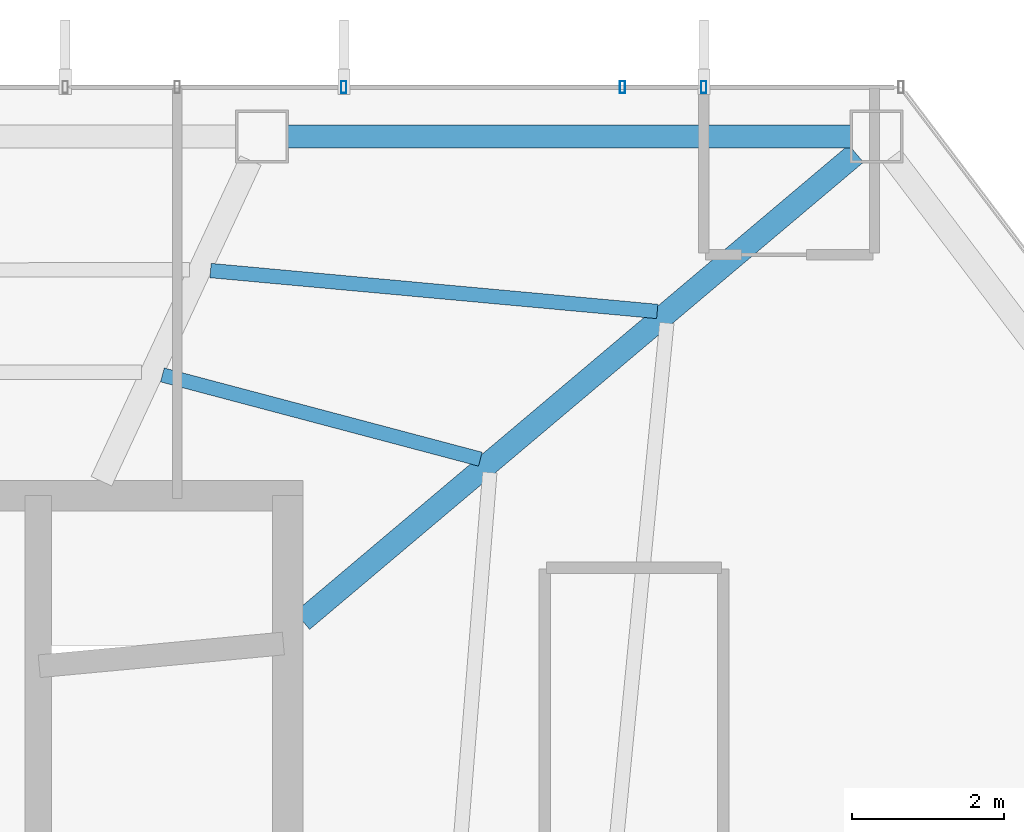
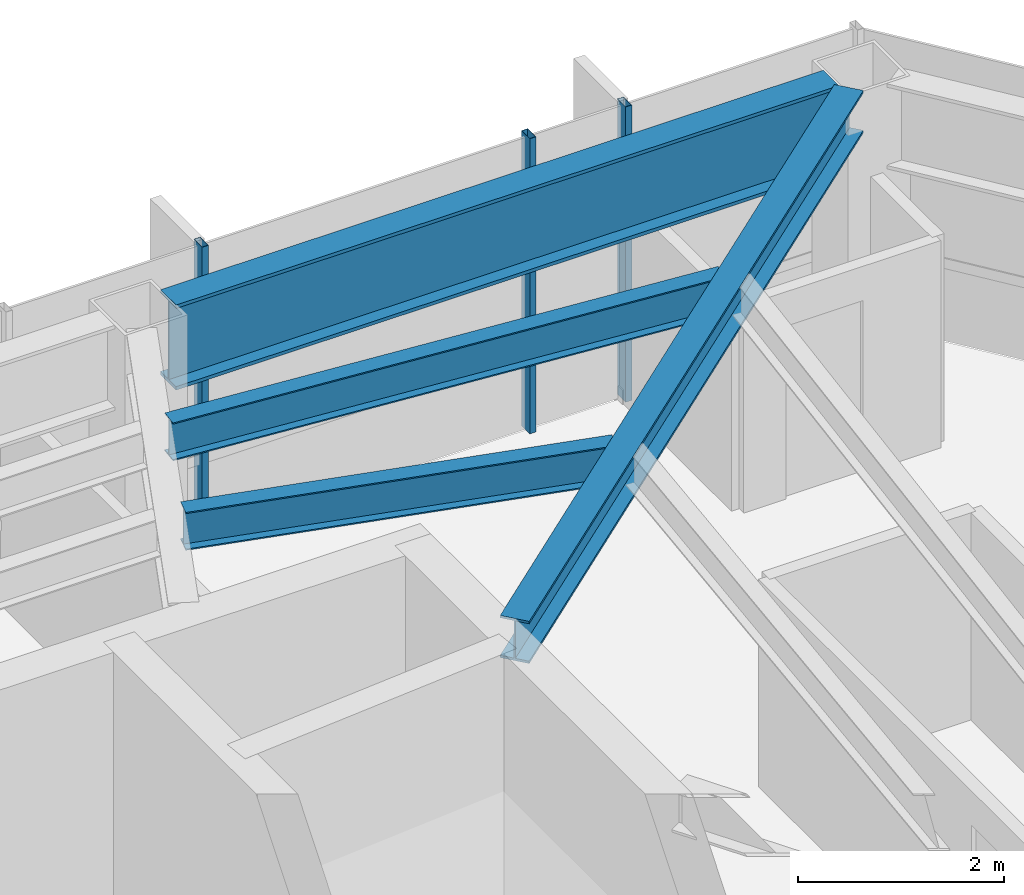
# One storey, part 22 of 28: 4 beams, 3 members, 1 element without a shape of its own.
"""IFC4 building model written with IfcOpenShell, lengths in metres."""

import ifcopenshell
import ifcopenshell.guid

model = None  # the IFC model being written
_history = None  # IfcOwnerHistory: only IFC2X3 demands one
_inside = {}  # id of a spatial element -> (the spatial element, [elements in it])
_under = {}  # id of a project, library or spatial element -> (it, [spatial elements below it])
_declared = {}  # id of a project -> (the project, [libraries it declares])
_typed = {}  # id of a type object -> (the type object, [elements of that type])
_made_of = {}  # id of a material, layer set ... -> (it, [elements and type objects made of it])


def new_model(schema):
    """Start an empty IFC model of exactly this schema.

    Asked for "IFC4X3", IfcOpenShell would pick the latest addendum, in which some entities
    have other attributes; the version numbers below select the first issue.
    IFC2X3 requires an IfcOwnerHistory on every rooted entity: one is made here for all.
    """
    global model, _history
    if schema == "IFC4X3":
        model = ifcopenshell.file(schema_version=(4, 3, 0, 0))
    else:
        model = ifcopenshell.file(schema=schema)
    _inside.clear()
    _under.clear()
    _declared.clear()
    _typed.clear()
    _made_of.clear()
    _history = None
    if model.schema == "IFC2X3":
        org = make("IfcOrganization", Name="unknown")
        user = make(
            "IfcPersonAndOrganization",
            ThePerson=make("IfcPerson", FamilyName="unknown"),
            TheOrganization=org,
        )
        app = make(
            "IfcApplication",
            ApplicationDeveloper=org,
            Version="unknown",
            ApplicationFullName="unknown",
            ApplicationIdentifier="unknown",
        )
        _history = make(
            "IfcOwnerHistory",
            OwningUser=user,
            OwningApplication=app,
            ChangeAction="ADDED",
            CreationDate=0,
        )
    return model


def make(cls, **values):
    """One entity of the class cls with the attributes given. An attribute that is None is left unset."""
    return model.create_entity(
        cls, **{name: value for name, value in values.items() if value is not None}
    )


def rooted(cls, **values):
    """An entity with a GlobalId (a new one), such as an element, a storey or a relation."""
    return make(cls, GlobalId=ifcopenshell.guid.new(), OwnerHistory=_history, **values)


def si_unit(unit_type, name, prefix=None):
    """IfcSIUnit, for example si_unit("LENGTHUNIT", "METRE", prefix="MILLI")."""
    return make("IfcSIUnit", UnitType=unit_type, Prefix=prefix, Name=name)


def assignment(units):
    """IfcUnitAssignment: the units of a project."""
    return None if units is None else make("IfcUnitAssignment", Units=units)


def point(xyz):
    """IfcCartesianPoint."""
    return None if xyz is None else make("IfcCartesianPoint", Coordinates=xyz)


def direction(xyz):
    """IfcDirection."""
    return None if xyz is None else make("IfcDirection", DirectionRatios=xyz)


def frame(location, z_axis=None, x_axis=None):
    """IfcAxis2Placement3D, a coordinate frame: its origin and axes. An axis left out is left unset."""
    return make(
        "IfcAxis2Placement3D",
        Location=point(location),
        Axis=direction(z_axis),
        RefDirection=direction(x_axis),
    )


def frame_2d(location, x_axis=None):
    """IfcAxis2Placement2D, a coordinate frame in the plane: its origin and x axis."""
    return make(
        "IfcAxis2Placement2D", Location=point(location), RefDirection=direction(x_axis)
    )


def origin():
    """The frame at (0, 0, 0) with its axes left unset."""
    return frame((0.0, 0.0, 0.0))


def origin_2d():
    """The frame at (0, 0) in the plane with its x axis left unset."""
    return frame_2d((0.0, 0.0))


def place(relative_to, where):
    """IfcLocalPlacement: puts the frame where relative to a parent placement (None: the world)."""
    return make(
        "IfcLocalPlacement", PlacementRelTo=relative_to, RelativePlacement=where
    )


def context(
    kind, dimensions, precision=None, world=None, true_north=None, identifier=None
):
    """IfcGeometricRepresentationContext, for example the 3D "Model" context."""
    return make(
        "IfcGeometricRepresentationContext",
        ContextIdentifier=identifier,
        ContextType=kind,
        CoordinateSpaceDimension=dimensions,
        Precision=precision,
        WorldCoordinateSystem=world,
        TrueNorth=true_north,
    )


def subcontext(parent, identifier, kind, view, scale=None):
    """IfcGeometricRepresentationSubContext, for example "Body" below "Model"."""
    return make(
        "IfcGeometricRepresentationSubContext",
        ContextIdentifier=identifier,
        ContextType=kind,
        ParentContext=parent,
        TargetScale=scale,
        TargetView=view,
    )


def project(units=None, contexts=None):
    """IfcProject with its units and contexts."""
    return rooted(
        "IfcProject",
        Name="project",
        RepresentationContexts=contexts,
        UnitsInContext=assignment(units),
    )


def spatial(cls, under=None, at=None, **own):
    """A site, building, storey or space (cls), placed at a placement, below another one or the project."""
    s = rooted(cls, ObjectPlacement=at, **own)
    if under is not None:
        _under.setdefault(under.id(), (under, []))[1].append(s)
    return s


def profile(cls, at=None, kind="AREA", **sizes):
    """A parametric profile (cls). Its sizes go by their IFC names, for example OverallWidth=200.0."""
    return make(cls, ProfileType=kind, Position=at, **sizes)


def hollow_rectangle(**sizes):
    """IfcRectangleHollowProfileDef."""
    return profile("IfcRectangleHollowProfileDef", **sizes)


def i_section(**sizes):
    """IfcIShapeProfileDef."""
    return profile("IfcIShapeProfileDef", **sizes)


def extrude(swept, where, along, depth):
    """IfcExtrudedAreaSolid: the profile swept, set in the frame where, extruded along a direction by depth."""
    return make(
        "IfcExtrudedAreaSolid",
        SweptArea=swept,
        Position=where,
        ExtrudedDirection=direction(along),
        Depth=depth,
    )


def shape(context_of_items, identifier, shape_type, items):
    """IfcShapeRepresentation: the items that make up one representation, for example the "Body"."""
    return make(
        "IfcShapeRepresentation",
        ContextOfItems=context_of_items,
        RepresentationIdentifier=identifier,
        RepresentationType=shape_type,
        Items=items,
    )


def material(Name=None, Category=None):
    """IfcMaterial."""
    return make("IfcMaterial", Name=Name, Category=Category)


def layer(
    of_material, thickness, ventilated=None, Name=None, Category=None, Priority=None
):
    """IfcMaterialLayer: one layer of a wall or slab, of a material (None: an air gap)."""
    return make(
        "IfcMaterialLayer",
        Material=of_material,
        LayerThickness=thickness,
        IsVentilated=ventilated,
        Name=Name,
        Category=Category,
        Priority=Priority,
    )


def layer_set(layers, Name=None):
    """IfcMaterialLayerSet."""
    return make("IfcMaterialLayerSet", MaterialLayers=layers, LayerSetName=Name)


def material_profile(
    of_material, cross_section, Name=None, Category=None, Priority=None
):
    """IfcMaterialProfile: a cross section and its material."""
    return make(
        "IfcMaterialProfile",
        Name=Name,
        Material=of_material,
        Profile=cross_section,
        Priority=Priority,
        Category=Category,
    )


def profile_set(profiles, Name=None, composite=None):
    """IfcMaterialProfileSet."""
    return make(
        "IfcMaterialProfileSet",
        Name=Name,
        MaterialProfiles=profiles,
        CompositeProfile=composite,
    )


def made_of(thing, what):
    """Note that an element or type object is made of a material, layer set ...; save() writes the relation."""
    if what is not None:
        _made_of.setdefault(what.id(), (what, []))[1].append(thing)
    return thing


def type_object(cls, material=None, **own):
    """A type object (cls), such as IfcWallType, which elements share."""
    return made_of(rooted(cls, **own), material)


def element(
    cls,
    number,
    at=None,
    inside=None,
    cuts=None,
    type_object=None,
    material=None,
    context=None,
    identifier="Body",
    shape_type=None,
    held_by="IfcProductDefinitionShape",
    body=None,
    shapes=None,
    **own,
):
    """One element of the class cls, such as IfcWall. Its Tag is "e" and its number.

    at: its placement. inside: the storey or other place that contains it. cuts: it is an
    opening in that element (IfcRelVoidsElement). A single representation is given by context,
    identifier, shape_type and body (its items); several are given by shapes. held_by: the class
    of the entity that holds the representations. save() writes the other relations.
    """
    e = rooted(cls, Tag="e%d" % number, ObjectPlacement=at, **own)
    if body is not None:
        shapes = [shape(context, identifier, shape_type, body)]
    if shapes is not None:
        e.Representation = make(held_by, Representations=shapes)
    if inside is not None:
        _inside.setdefault(inside.id(), (inside, []))[1].append(e)
    if cuts is not None:
        rooted(
            "IfcRelVoidsElement", RelatingBuildingElement=cuts, RelatedOpeningElement=e
        )
    if type_object is not None:
        _typed.setdefault(type_object.id(), (type_object, []))[1].append(e)
    return made_of(e, material)


def aggregate(whole, parts):
    """IfcRelAggregates: a whole, such as a stair, and the parts it consists of."""
    return rooted("IfcRelAggregates", RelatingObject=whole, RelatedObjects=parts)


def save(model, path):
    """Write the relations noted so far, then the file.

    IfcRelAggregates (storeys below a building ...), IfcRelContainedInSpatialStructure (elements
    in a storey), IfcRelDefinesByType, IfcRelAssociatesMaterial and IfcRelDeclares: one each for
    every whole, place, type object, material and project.
    """
    for whole, parts in _under.values():
        aggregate(whole, parts)
    for where, things in _inside.values():
        rooted(
            "IfcRelContainedInSpatialStructure",
            RelatedElements=things,
            RelatingStructure=where,
        )
    for kind, things in _typed.values():
        rooted("IfcRelDefinesByType", RelatedObjects=things, RelatingType=kind)
    for what, things in _made_of.values():
        rooted("IfcRelAssociatesMaterial", RelatedObjects=things, RelatingMaterial=what)
    for by, libraries in _declared.values():
        rooted("IfcRelDeclares", RelatingContext=by, RelatedDefinitions=libraries)
    model.write(path)


model = new_model("IFC4")

# Units and contexts
model_context = context("Model", 3, precision=1e-05, world=origin(), true_north=direction((0.0, 1.0)))
body_context = subcontext(model_context, "Body", "Model", "MODEL_VIEW")
ifc_project = project(units=[si_unit("LENGTHUNIT", "METRE"), si_unit("AREAUNIT", "SQUARE_METRE"), si_unit("VOLUMEUNIT", "CUBIC_METRE"), si_unit("PLANEANGLEUNIT", "RADIAN"), si_unit("MASSUNIT", "GRAM", prefix="KILO")], contexts=[model_context])

# Site, building, storey
site_placement = place(None, origin())
site = spatial("IfcSite", under=ifc_project, at=site_placement, CompositionType="ELEMENT")
building_placement = place(site_placement, origin())
building = spatial("IfcBuilding", under=site, at=building_placement, Name="Zarrinselat Tower", CompositionType="ELEMENT")
storey_placement = place(building_placement, frame((0.0, 0.0, 168.300048828125)))
storey = spatial("IfcBuildingStorey", under=building, at=storey_placement, Name="L41", CompositionType="ELEMENT", Elevation=168.300048828125)

# Beams
ifc_material_1 = material(Name="Steel S355J2", Category="steel")
ifc_material_profile_1 = material_profile(ifc_material_1, i_section(OverallWidth=0.300048828125, OverallDepth=0.5, WebThickness=0.014404296875, FlangeThickness=0.028076171875, at=origin_2d()), Name="HEB 500")
ifc_profile_set_1 = profile_set([ifc_material_profile_1], Name="Steel S355J2")
beam_type_1 = type_object("IfcBeamType", Name="BM-HEB500", PredefinedType="BEAM", material=ifc_profile_set_1)
beam_1_placement = place(storey_placement, frame((48.449951171875, 41.800048828125, 3.25), z_axis=(0.764367026343, 0.644781396319, 0.0), x_axis=(-0.644781396319, 0.764367026343, 0.0)))
element("IfcBeam", 1, at=beam_1_placement, inside=storey, type_object=beam_type_1, Name="L41 Radial Primary Girder RG01", PredefinedType="BEAM", context=body_context, shape_type="SweptSolid", body=[
    extrude(i_section(OverallWidth=0.300048828125, OverallDepth=0.5, WebThickness=0.014404296875, FlangeThickness=0.028076171875, at=origin_2d()), origin(), (0.0, 0.0, 1.0), 9.556396484375),
])
ifc_material_2 = material(Name="Steel S460M", Category="steel")
ifc_material_profile_2 = material_profile(ifc_material_2, i_section(OverallWidth=0.302001953125, OverallDepth=1.008056640625, WebThickness=0.02099609375, FlangeThickness=0.0400390625, at=origin_2d()), Name="HEM 1000")
ifc_profile_set_2 = profile_set([ifc_material_profile_2], Name="Steel S460M")
beam_type_2 = type_object("IfcBeamType", Name="BM-HEM1000", PredefinedType="BEAM", material=ifc_profile_set_2)
beam_2_placement = place(storey_placement, frame((48.25537109375, 48.18896484375, 2.995849609375), z_axis=(1.0, 0.0, 0.0), x_axis=(0.0, 1.0, 0.0)))
element("IfcBeam", 2, at=beam_2_placement, inside=storey, type_object=beam_type_2, Name="L41 Perimeter Spandrel Girder SP01", PredefinedType="BEAM", context=body_context, shape_type="SweptSolid", body=[
    extrude(i_section(OverallWidth=0.302001953125, OverallDepth=1.008056640625, WebThickness=0.02099609375, FlangeThickness=0.0400390625, at=origin_2d()), origin(), (0.0, 0.0, 1.0), 7.430419921875),
])
ifc_material_3 = material(Name="Steel S355J2", Category="steel")
ifc_material_profile_3 = material_profile(ifc_material_3, i_section(OverallWidth=0.18994140625, OverallDepth=0.449951171875, WebThickness=0.009521484375, FlangeThickness=0.0146484375, at=origin_2d()), Name="IPE 450")
ifc_profile_set_3 = profile_set([ifc_material_profile_3], Name="Steel S355J2")
beam_type_3 = type_object("IfcBeamType", Name="BM-IPE450", PredefinedType="JOIST", material=ifc_profile_set_3)
beam_3_placement = place(storey_placement, frame((47.239013671875, 46.4189453125, 3.27490234375), z_axis=(0.995837896542, -0.091142107783, 0.0), x_axis=(0.091142107783, 0.995837896542, 0.0)))
element("IfcBeam", 3, at=beam_3_placement, inside=storey, type_object=beam_type_3, Name="L41 Composite Floor Joist 6-1", PredefinedType="JOIST", context=body_context, shape_type="SweptSolid", body=[
    extrude(i_section(OverallWidth=0.18994140625, OverallDepth=0.449951171875, WebThickness=0.009521484375, FlangeThickness=0.0146484375, at=origin_2d()), origin(), (0.0, 0.0, 1.0), 5.917236328125),
])
beam_4_placement = place(storey_placement, frame((46.604736328125, 45.042236328125, 3.27490234375), z_axis=(0.96662984541, -0.256177169091, 0.0), x_axis=(0.256177169091, 0.96662984541, 0.0)))
element("IfcBeam", 4, at=beam_4_placement, inside=storey, type_object=beam_type_3, Name="L41 Composite Floor Joist 6-2", PredefinedType="JOIST", context=body_context, shape_type="SweptSolid", body=[
    extrude(i_section(OverallWidth=0.18994140625, OverallDepth=0.449951171875, WebThickness=0.009521484375, FlangeThickness=0.0146484375, at=origin_2d()), origin(), (0.0, 0.0, 1.0), 4.338134765625),
])

# Curtain wall, members
ifc_material_4 = material(Name="Extruded Aluminium Alloy EN AW-6063 T6", Category="aluminium")
ifc_layer = layer(ifc_material_4, 0.175048828125)
ifc_layer_set = layer_set([ifc_layer], Name="Extruded Aluminium Alloy EN AW-6063 T6")
curtain_wall_type = type_object("IfcCurtainWallType", Name="CWS-HTL", PredefinedType="NOTDEFINED", material=ifc_layer_set)
curtain_wall_placement = place(storey_placement, origin())
curtain_wall = element("IfcCurtainWall", 5, at=curtain_wall_placement, inside=storey, type_object=curtain_wall_type, Name="L41 Unitised Curtain Wall CW-L41-E01", PredefinedType="NOTDEFINED")
ifc_material_5 = material(Name="Extruded Aluminium Alloy EN AW-6063 T6", Category="aluminium")
ifc_material_profile_4 = material_profile(ifc_material_5, hollow_rectangle(XDim=0.070068359375, YDim=0.159912109375, WallThickness=0.00390625, at=origin_2d()), Name="RHS 160x70x4")
ifc_profile_set_4 = profile_set([ifc_material_profile_4], Name="Extruded Aluminium Alloy EN AW-6063 T6")
member_type = type_object("IfcMemberType", Name="MEM-CW-MUL2", PredefinedType="MULLION", material=ifc_profile_set_4)
member_1_placement = place(storey_placement, frame((53.74609375, 48.8388671875, 0.0), z_axis=(0.0, 0.0, 1.0), x_axis=(-1.0, 0.0, 0.0)))
member_1 = element("IfcMember", 6, at=member_1_placement, type_object=member_type, Name="CW-L41-E01 Mullion 1", PredefinedType="MULLION", context=body_context, shape_type="SweptSolid", body=[
    extrude(hollow_rectangle(XDim=0.070068359375, YDim=0.159912109375, WallThickness=0.00390625, at=origin_2d()), origin(), (0.0, 0.0, 1.0), 3.5),
])
member_2_placement = place(storey_placement, frame((52.672119140625, 48.8388671875, 0.0), z_axis=(0.0, 0.0, 1.0), x_axis=(-1.0, 0.0, 0.0)))
member_2 = element("IfcMember", 7, at=member_2_placement, type_object=member_type, Name="CW-L41-E01 Mullion 2", PredefinedType="MULLION", context=body_context, shape_type="SweptSolid", body=[
    extrude(hollow_rectangle(XDim=0.070068359375, YDim=0.159912109375, WallThickness=0.00390625, at=origin_2d()), origin(), (0.0, 0.0, 1.0), 3.5),
])
member_3_placement = place(storey_placement, frame((48.99755859375, 48.8388671875, 0.0), z_axis=(0.0, 0.0, 1.0), x_axis=(-1.0, 0.0, 0.0)))
member_3 = element("IfcMember", 8, at=member_3_placement, type_object=member_type, Name="CW-L41-E01 Mullion 3", PredefinedType="MULLION", context=body_context, shape_type="SweptSolid", body=[
    extrude(hollow_rectangle(XDim=0.070068359375, YDim=0.159912109375, WallThickness=0.00390625, at=origin_2d()), origin(), (0.0, 0.0, 1.0), 3.5),
])
aggregate(curtain_wall, [member_1, member_2, member_3])

save(model, "model.ifc")
